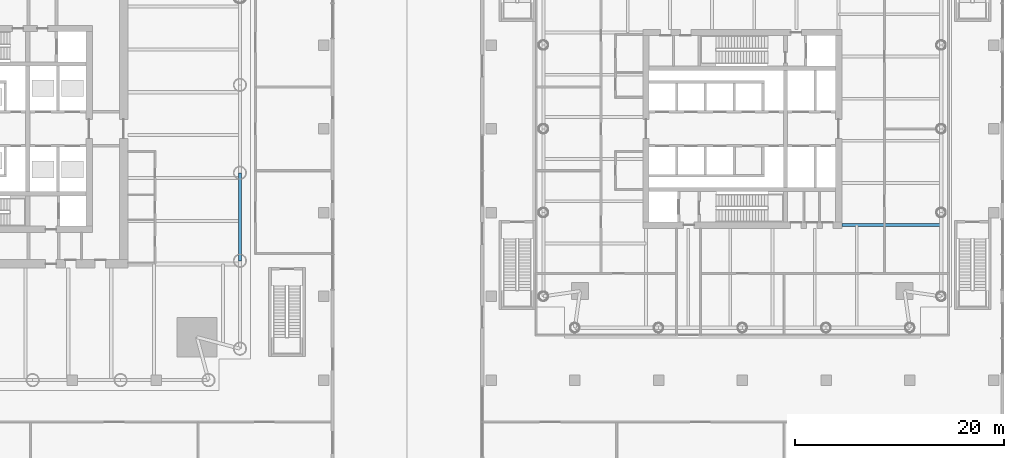
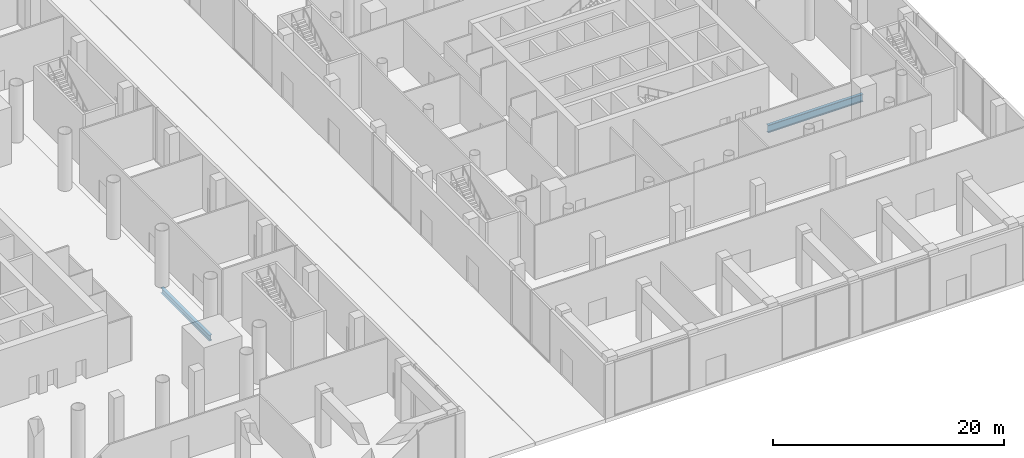
# One storey, part 11 of 39: 2 beams.
"""IFC4 building model written with IfcOpenShell, lengths in metres."""

from ifc_helpers import new_model, si_unit, direction, frame, origin, origin_2d, place, context, subcontext, project, spatial, i_section, extrude, material, material_profile, profile_set, type_object, element, save


model = new_model("IFC4")

# Units and contexts
model_context = context("Model", 3, precision=1e-05, world=origin(), true_north=direction((0.0, 1.0)))
body_context = subcontext(model_context, "Body", "Model", "MODEL_VIEW")
ifc_project = project(units=[si_unit("LENGTHUNIT", "METRE"), si_unit("AREAUNIT", "SQUARE_METRE"), si_unit("VOLUMEUNIT", "CUBIC_METRE"), si_unit("PLANEANGLEUNIT", "RADIAN"), si_unit("MASSUNIT", "GRAM", prefix="KILO")], contexts=[model_context])

# Site, building, storey
site_placement = place(None, origin())
site = spatial("IfcSite", under=ifc_project, at=site_placement, CompositionType="ELEMENT")
building_placement = place(site_placement, origin())
building = spatial("IfcBuilding", under=site, at=building_placement, Name="Ostroluk Exchange", CompositionType="ELEMENT")
storey_placement = place(building_placement, origin())
storey = spatial("IfcBuildingStorey", under=building, at=storey_placement, Name="L00", CompositionType="ELEMENT", Elevation=0.0)

# Beams
ifc_material_1 = material(Name="Steel S355", Category="steel")
ifc_material_profile_1 = material_profile(ifc_material_1, i_section(OverallWidth=0.300048828125, OverallDepth=0.800048828125, WebThickness=0.017578125, FlangeThickness=0.032958984375, FilletRadius=0.030029296875, at=origin_2d()), Name="HEB 800")
ifc_profile_set_1 = profile_set([ifc_material_profile_1], Name="Steel S355")
beam_type_1 = type_object("IfcBeamType", Name="Girder HEB 800", PredefinedType="BEAM", material=ifc_profile_set_1)
beam_1_placement = place(storey_placement, frame((126.5, 36.800048828125, -0.699951171875), z_axis=(1.0, 0.0, 0.0), x_axis=(0.0, 1.0, 0.0)))
element("IfcBeam", 1, at=beam_1_placement, inside=storey, type_object=beam_type_1, Name="T2 south girder", PredefinedType="BEAM", context=body_context, shape_type="SweptSolid", body=[
    extrude(i_section(OverallWidth=0.300048828125, OverallDepth=0.800048828125, WebThickness=0.017578125, FlangeThickness=0.032958984375, FilletRadius=0.030029296875, at=origin_2d()), origin(), (0.0, 0.0, 1.0), 9.5),
])
ifc_material_2 = material(Name="Steel S355", Category="steel")
ifc_material_profile_2 = material_profile(ifc_material_2, i_section(OverallWidth=0.300048828125, OverallDepth=0.60009765625, WebThickness=0.015380859375, FlangeThickness=0.030029296875, FilletRadius=0.027099609375, at=origin_2d()), Name="HEB 600")
ifc_profile_set_2 = profile_set([ifc_material_profile_2], Name="Steel S355")
beam_type_2 = type_object("IfcBeamType", Name="Moment-connected edge beam HEB 600", PredefinedType="SPANDREL", material=ifc_profile_set_2)
beam_2_placement = place(storey_placement, frame((69.0, 33.39990234375, -0.60009765625), z_axis=(0.0, 1.0, 0.0), x_axis=(-1.0, 0.0, 0.0)))
element("IfcBeam", 2, at=beam_2_placement, inside=storey, type_object=beam_type_2, Name="T1 east edge beam 2", PredefinedType="SPANDREL", context=body_context, shape_type="SweptSolid", body=[
    extrude(i_section(OverallWidth=0.300048828125, OverallDepth=0.60009765625, WebThickness=0.015380859375, FlangeThickness=0.030029296875, FilletRadius=0.027099609375, at=origin_2d()), origin(), (0.0, 0.0, 1.0), 8.400146484375),
])

save(model, "model.ifc")
